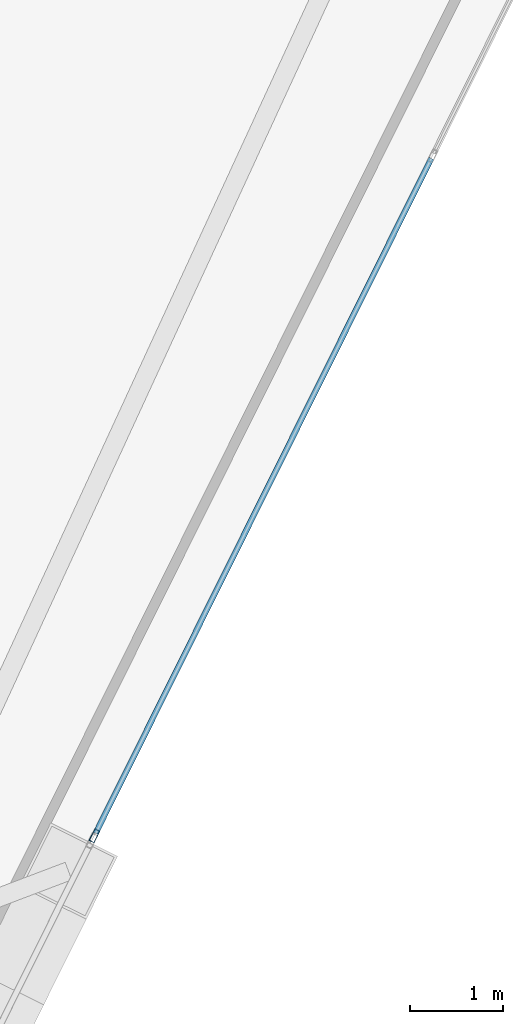
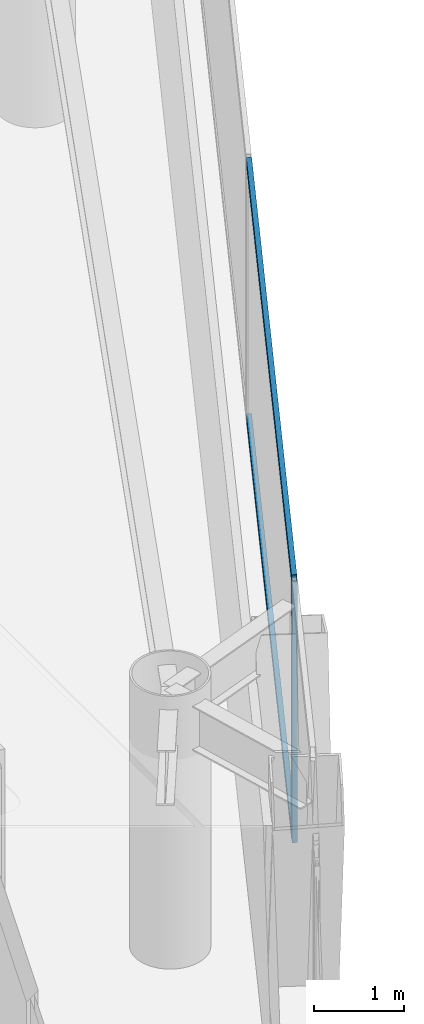
# One storey, part 11 of 23: 3 members, 1 element without a shape of its own.
"""IFC4 building model written with IfcOpenShell, lengths in metres."""

from ifc_helpers import new_model, si_unit, direction, frame, origin, origin_2d, place, context, subcontext, project, spatial, hollow_rectangle, extrude, material, layer, layer_set, material_profile, profile_set, type_object, element, aggregate, save


model = new_model("IFC4")

# Units and contexts
model_context = context("Model", 3, precision=1e-05, world=origin(), true_north=direction((0.0, 1.0)))
body_context = subcontext(model_context, "Body", "Model", "MODEL_VIEW")
ifc_project = project(units=[si_unit("LENGTHUNIT", "METRE"), si_unit("AREAUNIT", "SQUARE_METRE"), si_unit("VOLUMEUNIT", "CUBIC_METRE"), si_unit("PLANEANGLEUNIT", "RADIAN"), si_unit("MASSUNIT", "GRAM", prefix="KILO")], contexts=[model_context])

# Site, building, storey
site_placement = place(None, origin())
site = spatial("IfcSite", under=ifc_project, at=site_placement, CompositionType="ELEMENT")
building_placement = place(site_placement, origin())
building = spatial("IfcBuilding", under=site, at=building_placement, Name="Qianvela Tower", CompositionType="ELEMENT")
storey_placement = place(building_placement, frame((0.0, 0.0, 313.89990234375)))
storey = spatial("IfcBuildingStorey", under=building, at=storey_placement, Name="L81", CompositionType="ELEMENT", Elevation=313.89990234375)

# Curtain wall, members
ifc_material_1 = material(Name="Anodised Architectural Aluminium and Low-E Glass", Category="aluminium")
ifc_layer = layer(ifc_material_1, 0.14990234375)
ifc_layer_set = layer_set([ifc_layer], Name="Anodised Architectural Aluminium and Low-E Glass")
curtain_wall_type = type_object("IfcCurtainWallType", Name="CW-COLIV-Z78", PredefinedType="USERDEFINED", material=ifc_layer_set)
curtain_wall_placement = place(storey_placement, origin())
curtain_wall = element("IfcCurtainWall", 1, at=curtain_wall_placement, inside=storey, type_object=curtain_wall_type, Name="L81 CW-COLIV-Z78 Curtain Wall 06C", ObjectType="CURTAIN_WALL_SYSTEM", PredefinedType="USERDEFINED")
ifc_material_2 = material(Name="Anodised Architectural Aluminium 6063-T6", Category="aluminium")
ifc_material_profile_1 = material_profile(ifc_material_2, hollow_rectangle(XDim=0.06005859375, YDim=0.139892578125, WallThickness=0.00439453125, at=origin_2d()), Name="ALU-MULL-60x140")
ifc_profile_set_1 = profile_set([ifc_material_profile_1], Name="Anodised Architectural Aluminium 6063-T6")
member_type_1 = type_object("IfcMemberType", Name="CW-COLIV-Z78-MULL", PredefinedType="MULLION", material=ifc_profile_set_1)
member_1_placement = place(storey_placement, frame((48.06396484375, 23.46337890625, 0.0), z_axis=(0.0, 0.0, 1.0), x_axis=(-0.895347745462, 0.445367729743, 0.0)))
member_1 = element("IfcMember", 2, at=member_1_placement, type_object=member_type_1, Name="CW-6 mullion 1", PredefinedType="MULLION", context=body_context, shape_type="SweptSolid", body=[
    extrude(hollow_rectangle(XDim=0.06005859375, YDim=0.139892578125, WallThickness=0.00439453125, at=origin_2d()), origin(), (0.0, 0.0, 1.0), 3.52001953125),
])
ifc_material_3 = material(Name="Anodised Architectural Aluminium 6063-T6", Category="aluminium")
ifc_material_profile_2 = material_profile(ifc_material_3, hollow_rectangle(XDim=0.06005859375, YDim=0.114990234375, WallThickness=0.00390625, at=origin_2d()), Name="ALU-TRAN-60x115")
ifc_profile_set_2 = profile_set([ifc_material_profile_2], Name="Anodised Architectural Aluminium 6063-T6")
member_type_2 = type_object("IfcMemberType", Name="CW-COLIV-Z78-TRAN", PredefinedType="USERDEFINED", material=ifc_profile_set_2)
member_2_placement = place(storey_placement, frame((48.077392578125, 23.490234375, 0.030029296875), z_axis=(0.445371444189, 0.895345897796, 0.0), x_axis=(-0.895345897796, 0.445371444189, 0.0)))
member_2 = element("IfcMember", 3, at=member_2_placement, type_object=member_type_2, Name="CW-6 transom 1.1", ObjectType="TRANSOM", PredefinedType="USERDEFINED", context=body_context, shape_type="SweptSolid", body=[
    extrude(hollow_rectangle(XDim=0.06005859375, YDim=0.114990234375, WallThickness=0.00390625, at=origin_2d()), origin(), (0.0, 0.0, 1.0), 8.06201171875),
])
member_3_placement = place(storey_placement, frame((48.077392578125, 23.490234375, 3.489990234375), z_axis=(0.445371444189, 0.895345897796, 0.0), x_axis=(-0.895345897796, 0.445371444189, 0.0)))
member_3 = element("IfcMember", 4, at=member_3_placement, type_object=member_type_2, Name="CW-6 transom 1.2", ObjectType="TRANSOM", PredefinedType="USERDEFINED", context=body_context, shape_type="SweptSolid", body=[
    extrude(hollow_rectangle(XDim=0.06005859375, YDim=0.114990234375, WallThickness=0.00390625, at=origin_2d()), origin(), (0.0, 0.0, 1.0), 8.06201171875),
])
aggregate(curtain_wall, [member_1, member_2, member_3])

save(model, "model.ifc")
